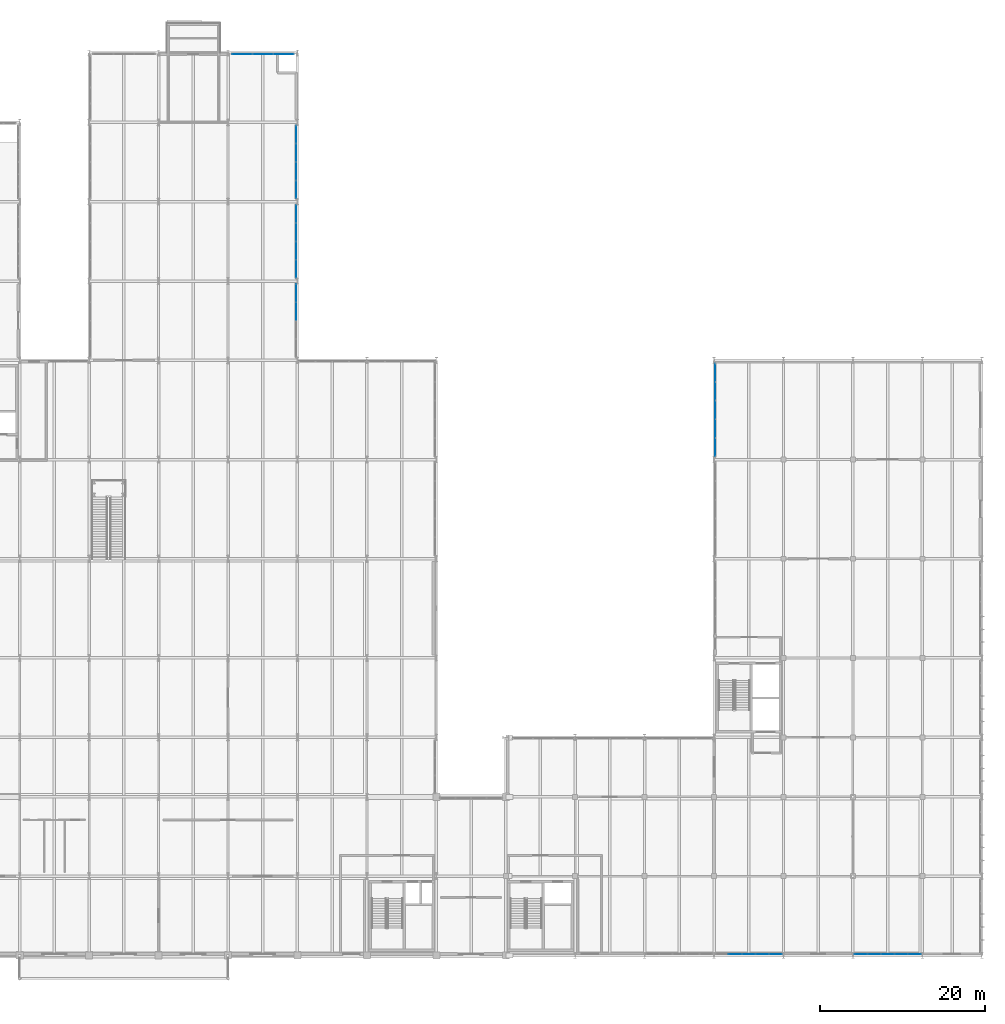
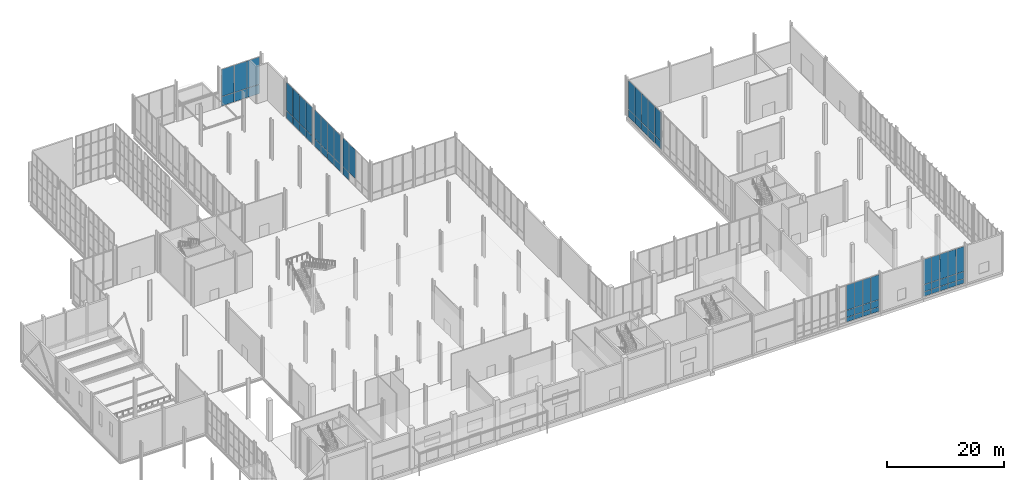
# One storey, part 106 of 131: 62 plates, 7 elements without a shape of their own.
"""IFC4 building model written with IfcOpenShell, lengths in metres."""

from ifc_helpers import new_model, si_unit, direction, frame, origin, origin_2d, place, context, subcontext, project, spatial, rectangle, extrude, material, layer, layer_set, type_object, element, aggregate, save


model = new_model("IFC4")

# Units and contexts
model_context = context("Model", 3, precision=1e-05, world=origin(), true_north=direction((0.0, 1.0)))
body_context = subcontext(model_context, "Body", "Model", "MODEL_VIEW")
ifc_project = project(units=[si_unit("LENGTHUNIT", "METRE"), si_unit("AREAUNIT", "SQUARE_METRE"), si_unit("VOLUMEUNIT", "CUBIC_METRE"), si_unit("PLANEANGLEUNIT", "RADIAN"), si_unit("MASSUNIT", "GRAM", prefix="KILO")], contexts=[model_context])

# Site, building, storey
site_placement = place(None, origin())
site = spatial("IfcSite", under=ifc_project, at=site_placement, CompositionType="ELEMENT")
building_placement = place(site_placement, origin())
building = spatial("IfcBuilding", under=site, at=building_placement, Name="Veltarok Museum of Natural Sciences", CompositionType="ELEMENT")
storey_placement = place(building_placement, origin())
storey = spatial("IfcBuildingStorey", under=building, at=storey_placement, Name="L00", CompositionType="ELEMENT", Elevation=0.0)

# Curtain wall, plates
ifc_material = material(Name="Low-iron triple insulated glass", Category="glass")
curtain_wall_type_1 = type_object("IfcCurtainWallType", Name="Curtain Wall System CW-V2NP-L00-9-756x775 (North Pavilion L00 9-10 756x775cm)", PredefinedType="NOTDEFINED", material=ifc_material)
curtain_wall_1_placement = place(storey_placement, origin())
curtain_wall_1 = element("IfcCurtainWall", 1, at=curtain_wall_1_placement, inside=storey, type_object=curtain_wall_type_1, Name="Curtain Wall CW-V2NP-L00-9-756x775 CW-0068", PredefinedType="NOTDEFINED")
ifc_layer = layer(ifc_material, 0.028076171875)
ifc_layer_set = layer_set([ifc_layer], Name="Low-iron triple insulated glass")
plate_type = type_object("IfcPlateType", Name="Triple Low-Iron Glazed Vision Panel 28", PredefinedType="CURTAIN_PANEL", material=ifc_layer_set)
plate_1_placement = place(storey_placement, frame((80.304931640625, 109.050048828125, 0.06005859375), z_axis=(0.0, 0.0, 1.0), x_axis=(-1.0, 0.0, 0.0)))
plate_1 = element("IfcPlate", 2, at=plate_1_placement, type_object=plate_type, Name="CW-V2NP-L00-9-756x775 panel 1.1", PredefinedType="CURTAIN_PANEL", context=body_context, shape_type="SweptSolid", body=[
    extrude(rectangle(XDim=2.429931640625, YDim=0.028076171875, at=origin_2d()), origin(), (0.0, 0.0, 1.0), 1.909912109375),
])
plate_2_placement = place(storey_placement, frame((80.304931640625, 109.050048828125, 2.0302734375), z_axis=(0.0, 0.0, 1.0), x_axis=(-1.0, 0.0, 0.0)))
plate_2 = element("IfcPlate", 3, at=plate_2_placement, type_object=plate_type, Name="CW-V2NP-L00-9-756x775 panel 1.2", PredefinedType="CURTAIN_PANEL", context=body_context, shape_type="SweptSolid", body=[
    extrude(rectangle(XDim=2.429931640625, YDim=0.028076171875, at=origin_2d()), origin(), (0.0, 0.0, 1.0), 5.659912109375),
])
plate_3_placement = place(storey_placement, frame((77.800048828125, 109.050048828125, 0.06005859375), z_axis=(0.0, 0.0, 1.0), x_axis=(-1.0, 0.0, 0.0)))
plate_3 = element("IfcPlate", 4, at=plate_3_placement, type_object=plate_type, Name="CW-V2NP-L00-9-756x775 panel 2.1", PredefinedType="CURTAIN_PANEL", context=body_context, shape_type="SweptSolid", body=[
    extrude(rectangle(XDim=2.4599609375, YDim=0.028076171875, at=origin_2d()), origin(), (0.0, 0.0, 1.0), 1.909912109375),
])
plate_4_placement = place(storey_placement, frame((77.800048828125, 109.050048828125, 2.0302734375), z_axis=(0.0, 0.0, 1.0), x_axis=(-1.0, 0.0, 0.0)))
plate_4 = element("IfcPlate", 5, at=plate_4_placement, type_object=plate_type, Name="CW-V2NP-L00-9-756x775 panel 2.2", PredefinedType="CURTAIN_PANEL", context=body_context, shape_type="SweptSolid", body=[
    extrude(rectangle(XDim=2.4599609375, YDim=0.028076171875, at=origin_2d()), origin(), (0.0, 0.0, 1.0), 5.659912109375),
])
plate_5_placement = place(storey_placement, frame((75.294921875, 109.050048828125, 0.06005859375), z_axis=(0.0, 0.0, 1.0), x_axis=(-1.0, 0.0, 0.0)))
plate_5 = element("IfcPlate", 6, at=plate_5_placement, type_object=plate_type, Name="CW-V2NP-L00-9-756x775 panel 3.1", PredefinedType="CURTAIN_PANEL", context=body_context, shape_type="SweptSolid", body=[
    extrude(rectangle(XDim=2.429931640625, YDim=0.028076171875, at=origin_2d()), origin(), (0.0, 0.0, 1.0), 1.909912109375),
])
plate_6_placement = place(storey_placement, frame((75.294921875, 109.050048828125, 2.0302734375), z_axis=(0.0, 0.0, 1.0), x_axis=(-1.0, 0.0, 0.0)))
plate_6 = element("IfcPlate", 7, at=plate_6_placement, type_object=plate_type, Name="CW-V2NP-L00-9-756x775 panel 3.2", PredefinedType="CURTAIN_PANEL", context=body_context, shape_type="SweptSolid", body=[
    extrude(rectangle(XDim=2.429931640625, YDim=0.028076171875, at=origin_2d()), origin(), (0.0, 0.0, 1.0), 5.659912109375),
])
aggregate(curtain_wall_1, [plate_1, plate_2, plate_3, plate_4, plate_5, plate_6])

curtain_wall_type_2 = type_object("IfcCurtainWallType", Name="Curtain Wall System CW-V5S-L00-16-810x778 (V5 South Lab Curtain Wall L00 16-17 810x778cm)", PredefinedType="NOTDEFINED", material=ifc_material)
curtain_wall_2_placement = place(storey_placement, origin())
curtain_wall_2 = element("IfcCurtainWall", 8, at=curtain_wall_2_placement, inside=storey, type_object=curtain_wall_type_2, Name="Curtain Wall CW-V5S-L00-16-810x778 CW-0087", PredefinedType="NOTDEFINED")
plate_7_placement = place(storey_placement, frame((134.97998046875, 0.159912109375, 0.06005859375), z_axis=(0.0, 0.0, 1.0), x_axis=(1.0, 0.0, 0.0)))
plate_7 = element("IfcPlate", 9, at=plate_7_placement, type_object=plate_type, Name="CW-V5S-L00-16-810x778 panel 2.1", PredefinedType="CURTAIN_PANEL", context=body_context, shape_type="SweptSolid", body=[
    extrude(rectangle(XDim=1.56005859375, YDim=0.028076171875, at=origin_2d()), origin(), (0.0, 0.0, 1.0), 0.909912109375),
])
plate_8_placement = place(storey_placement, frame((134.97998046875, 0.159912109375, 1.030029296875), z_axis=(0.0, 0.0, 1.0), x_axis=(1.0, 0.0, 0.0)))
plate_8 = element("IfcPlate", 10, at=plate_8_placement, type_object=plate_type, Name="CW-V5S-L00-16-810x778 panel 2.2", PredefinedType="CURTAIN_PANEL", context=body_context, shape_type="SweptSolid", body=[
    extrude(rectangle(XDim=1.56005859375, YDim=0.028076171875, at=origin_2d()), origin(), (0.0, 0.0, 1.0), 1.43994140625),
])
plate_9_placement = place(storey_placement, frame((134.97998046875, 0.159912109375, 2.530029296875), z_axis=(0.0, 0.0, 1.0), x_axis=(1.0, 0.0, 0.0)))
plate_9 = element("IfcPlate", 11, at=plate_9_placement, type_object=plate_type, Name="CW-V5S-L00-16-810x778 panel 2.3", PredefinedType="CURTAIN_PANEL", context=body_context, shape_type="SweptSolid", body=[
    extrude(rectangle(XDim=1.56005859375, YDim=0.028076171875, at=origin_2d()), origin(), (0.0, 0.0, 1.0), 5.18994140625),
])
plate_10_placement = place(storey_placement, frame((136.60009765625, 0.159912109375, 0.06005859375), z_axis=(0.0, 0.0, 1.0), x_axis=(1.0, 0.0, 0.0)))
plate_10 = element("IfcPlate", 12, at=plate_10_placement, type_object=plate_type, Name="CW-V5S-L00-16-810x778 panel 3.1", PredefinedType="CURTAIN_PANEL", context=body_context, shape_type="SweptSolid", body=[
    extrude(rectangle(XDim=1.56005859375, YDim=0.028076171875, at=origin_2d()), origin(), (0.0, 0.0, 1.0), 0.909912109375),
])
plate_11_placement = place(storey_placement, frame((136.60009765625, 0.159912109375, 1.030029296875), z_axis=(0.0, 0.0, 1.0), x_axis=(1.0, 0.0, 0.0)))
plate_11 = element("IfcPlate", 13, at=plate_11_placement, type_object=plate_type, Name="CW-V5S-L00-16-810x778 panel 3.2", PredefinedType="CURTAIN_PANEL", context=body_context, shape_type="SweptSolid", body=[
    extrude(rectangle(XDim=1.56005859375, YDim=0.028076171875, at=origin_2d()), origin(), (0.0, 0.0, 1.0), 1.43994140625),
])
plate_12_placement = place(storey_placement, frame((136.60009765625, 0.159912109375, 2.530029296875), z_axis=(0.0, 0.0, 1.0), x_axis=(1.0, 0.0, 0.0)))
plate_12 = element("IfcPlate", 14, at=plate_12_placement, type_object=plate_type, Name="CW-V5S-L00-16-810x778 panel 3.3", PredefinedType="CURTAIN_PANEL", context=body_context, shape_type="SweptSolid", body=[
    extrude(rectangle(XDim=1.56005859375, YDim=0.028076171875, at=origin_2d()), origin(), (0.0, 0.0, 1.0), 5.18994140625),
])
plate_13_placement = place(storey_placement, frame((138.219970703125, 0.159912109375, 0.06005859375), z_axis=(0.0, 0.0, 1.0), x_axis=(1.0, 0.0, 0.0)))
plate_13 = element("IfcPlate", 15, at=plate_13_placement, type_object=plate_type, Name="CW-V5S-L00-16-810x778 panel 4.1", PredefinedType="CURTAIN_PANEL", context=body_context, shape_type="SweptSolid", body=[
    extrude(rectangle(XDim=1.56005859375, YDim=0.028076171875, at=origin_2d()), origin(), (0.0, 0.0, 1.0), 0.909912109375),
])
plate_14_placement = place(storey_placement, frame((138.219970703125, 0.159912109375, 1.030029296875), z_axis=(0.0, 0.0, 1.0), x_axis=(1.0, 0.0, 0.0)))
plate_14 = element("IfcPlate", 16, at=plate_14_placement, type_object=plate_type, Name="CW-V5S-L00-16-810x778 panel 4.2", PredefinedType="CURTAIN_PANEL", context=body_context, shape_type="SweptSolid", body=[
    extrude(rectangle(XDim=1.56005859375, YDim=0.028076171875, at=origin_2d()), origin(), (0.0, 0.0, 1.0), 1.43994140625),
])
plate_15_placement = place(storey_placement, frame((138.219970703125, 0.159912109375, 2.530029296875), z_axis=(0.0, 0.0, 1.0), x_axis=(1.0, 0.0, 0.0)))
plate_15 = element("IfcPlate", 17, at=plate_15_placement, type_object=plate_type, Name="CW-V5S-L00-16-810x778 panel 4.3", PredefinedType="CURTAIN_PANEL", context=body_context, shape_type="SweptSolid", body=[
    extrude(rectangle(XDim=1.56005859375, YDim=0.028076171875, at=origin_2d()), origin(), (0.0, 0.0, 1.0), 5.18994140625),
])
plate_16_placement = place(storey_placement, frame((139.824951171875, 0.159912109375, 0.06005859375), z_axis=(0.0, 0.0, 1.0), x_axis=(1.0, 0.0, 0.0)))
plate_16 = element("IfcPlate", 18, at=plate_16_placement, type_object=plate_type, Name="CW-V5S-L00-16-810x778 panel 5.1", PredefinedType="CURTAIN_PANEL", context=body_context, shape_type="SweptSolid", body=[
    extrude(rectangle(XDim=1.530029296875, YDim=0.028076171875, at=origin_2d()), origin(), (0.0, 0.0, 1.0), 0.909912109375),
])
plate_17_placement = place(storey_placement, frame((139.824951171875, 0.159912109375, 1.030029296875), z_axis=(0.0, 0.0, 1.0), x_axis=(1.0, 0.0, 0.0)))
plate_17 = element("IfcPlate", 19, at=plate_17_placement, type_object=plate_type, Name="CW-V5S-L00-16-810x778 panel 5.2", PredefinedType="CURTAIN_PANEL", context=body_context, shape_type="SweptSolid", body=[
    extrude(rectangle(XDim=1.530029296875, YDim=0.028076171875, at=origin_2d()), origin(), (0.0, 0.0, 1.0), 1.43994140625),
])
plate_18_placement = place(storey_placement, frame((139.824951171875, 0.159912109375, 2.530029296875), z_axis=(0.0, 0.0, 1.0), x_axis=(1.0, 0.0, 0.0)))
plate_18 = element("IfcPlate", 20, at=plate_18_placement, type_object=plate_type, Name="CW-V5S-L00-16-810x778 panel 5.3", PredefinedType="CURTAIN_PANEL", context=body_context, shape_type="SweptSolid", body=[
    extrude(rectangle(XDim=1.530029296875, YDim=0.028076171875, at=origin_2d()), origin(), (0.0, 0.0, 1.0), 5.18994140625),
])
aggregate(curtain_wall_2, [plate_7, plate_8, plate_9, plate_10, plate_11, plate_12, plate_13, plate_14, plate_15, plate_16, plate_17, plate_18])

curtain_wall_type_3 = type_object("IfcCurtainWallType", Name="Curtain Wall System CW-V5S-L00-18-810x778 (V5 South Lab Curtain Wall L00 18-19 810x778cm)", PredefinedType="NOTDEFINED", material=ifc_material)
curtain_wall_3_placement = place(storey_placement, origin())
curtain_wall_3 = element("IfcCurtainWall", 21, at=curtain_wall_3_placement, inside=storey, type_object=curtain_wall_type_3, Name="Curtain Wall CW-V5S-L00-18-810x778 CW-0088", PredefinedType="NOTDEFINED")
plate_19_placement = place(storey_placement, frame((150.175048828125, 0.159912109375, 0.06005859375), z_axis=(0.0, 0.0, 1.0), x_axis=(1.0, 0.0, 0.0)))
plate_19 = element("IfcPlate", 22, at=plate_19_placement, type_object=plate_type, Name="CW-V5S-L00-18-810x778 panel 1.1", PredefinedType="CURTAIN_PANEL", context=body_context, shape_type="SweptSolid", body=[
    extrude(rectangle(XDim=1.530029296875, YDim=0.028076171875, at=origin_2d()), origin(), (0.0, 0.0, 1.0), 0.909912109375),
])
plate_20_placement = place(storey_placement, frame((150.175048828125, 0.159912109375, 1.030029296875), z_axis=(0.0, 0.0, 1.0), x_axis=(1.0, 0.0, 0.0)))
plate_20 = element("IfcPlate", 23, at=plate_20_placement, type_object=plate_type, Name="CW-V5S-L00-18-810x778 panel 1.2", PredefinedType="CURTAIN_PANEL", context=body_context, shape_type="SweptSolid", body=[
    extrude(rectangle(XDim=1.530029296875, YDim=0.028076171875, at=origin_2d()), origin(), (0.0, 0.0, 1.0), 1.43994140625),
])
plate_21_placement = place(storey_placement, frame((150.175048828125, 0.159912109375, 2.530029296875), z_axis=(0.0, 0.0, 1.0), x_axis=(1.0, 0.0, 0.0)))
plate_21 = element("IfcPlate", 24, at=plate_21_placement, type_object=plate_type, Name="CW-V5S-L00-18-810x778 panel 1.3", PredefinedType="CURTAIN_PANEL", context=body_context, shape_type="SweptSolid", body=[
    extrude(rectangle(XDim=1.530029296875, YDim=0.028076171875, at=origin_2d()), origin(), (0.0, 0.0, 1.0), 5.18994140625),
])
plate_22_placement = place(storey_placement, frame((151.780029296875, 0.159912109375, 0.06005859375), z_axis=(0.0, 0.0, 1.0), x_axis=(1.0, 0.0, 0.0)))
plate_22 = element("IfcPlate", 25, at=plate_22_placement, type_object=plate_type, Name="CW-V5S-L00-18-810x778 panel 2.1", PredefinedType="CURTAIN_PANEL", context=body_context, shape_type="SweptSolid", body=[
    extrude(rectangle(XDim=1.56005859375, YDim=0.028076171875, at=origin_2d()), origin(), (0.0, 0.0, 1.0), 0.909912109375),
])
plate_23_placement = place(storey_placement, frame((151.780029296875, 0.159912109375, 1.030029296875), z_axis=(0.0, 0.0, 1.0), x_axis=(1.0, 0.0, 0.0)))
plate_23 = element("IfcPlate", 26, at=plate_23_placement, type_object=plate_type, Name="CW-V5S-L00-18-810x778 panel 2.2", PredefinedType="CURTAIN_PANEL", context=body_context, shape_type="SweptSolid", body=[
    extrude(rectangle(XDim=1.56005859375, YDim=0.028076171875, at=origin_2d()), origin(), (0.0, 0.0, 1.0), 1.43994140625),
])
plate_24_placement = place(storey_placement, frame((151.780029296875, 0.159912109375, 2.530029296875), z_axis=(0.0, 0.0, 1.0), x_axis=(1.0, 0.0, 0.0)))
plate_24 = element("IfcPlate", 27, at=plate_24_placement, type_object=plate_type, Name="CW-V5S-L00-18-810x778 panel 2.3", PredefinedType="CURTAIN_PANEL", context=body_context, shape_type="SweptSolid", body=[
    extrude(rectangle(XDim=1.56005859375, YDim=0.028076171875, at=origin_2d()), origin(), (0.0, 0.0, 1.0), 5.18994140625),
])
plate_25_placement = place(storey_placement, frame((153.39990234375, 0.159912109375, 0.06005859375), z_axis=(0.0, 0.0, 1.0), x_axis=(1.0, 0.0, 0.0)))
plate_25 = element("IfcPlate", 28, at=plate_25_placement, type_object=plate_type, Name="CW-V5S-L00-18-810x778 panel 3.1", PredefinedType="CURTAIN_PANEL", context=body_context, shape_type="SweptSolid", body=[
    extrude(rectangle(XDim=1.56005859375, YDim=0.028076171875, at=origin_2d()), origin(), (0.0, 0.0, 1.0), 0.909912109375),
])
plate_26_placement = place(storey_placement, frame((153.39990234375, 0.159912109375, 1.030029296875), z_axis=(0.0, 0.0, 1.0), x_axis=(1.0, 0.0, 0.0)))
plate_26 = element("IfcPlate", 29, at=plate_26_placement, type_object=plate_type, Name="CW-V5S-L00-18-810x778 panel 3.2", PredefinedType="CURTAIN_PANEL", context=body_context, shape_type="SweptSolid", body=[
    extrude(rectangle(XDim=1.56005859375, YDim=0.028076171875, at=origin_2d()), origin(), (0.0, 0.0, 1.0), 1.43994140625),
])
plate_27_placement = place(storey_placement, frame((153.39990234375, 0.159912109375, 2.530029296875), z_axis=(0.0, 0.0, 1.0), x_axis=(1.0, 0.0, 0.0)))
plate_27 = element("IfcPlate", 30, at=plate_27_placement, type_object=plate_type, Name="CW-V5S-L00-18-810x778 panel 3.3", PredefinedType="CURTAIN_PANEL", context=body_context, shape_type="SweptSolid", body=[
    extrude(rectangle(XDim=1.56005859375, YDim=0.028076171875, at=origin_2d()), origin(), (0.0, 0.0, 1.0), 5.18994140625),
])
plate_28_placement = place(storey_placement, frame((155.02001953125, 0.159912109375, 0.06005859375), z_axis=(0.0, 0.0, 1.0), x_axis=(1.0, 0.0, 0.0)))
plate_28 = element("IfcPlate", 31, at=plate_28_placement, type_object=plate_type, Name="CW-V5S-L00-18-810x778 panel 4.1", PredefinedType="CURTAIN_PANEL", context=body_context, shape_type="SweptSolid", body=[
    extrude(rectangle(XDim=1.56005859375, YDim=0.028076171875, at=origin_2d()), origin(), (0.0, 0.0, 1.0), 0.909912109375),
])
plate_29_placement = place(storey_placement, frame((155.02001953125, 0.159912109375, 1.030029296875), z_axis=(0.0, 0.0, 1.0), x_axis=(1.0, 0.0, 0.0)))
plate_29 = element("IfcPlate", 32, at=plate_29_placement, type_object=plate_type, Name="CW-V5S-L00-18-810x778 panel 4.2", PredefinedType="CURTAIN_PANEL", context=body_context, shape_type="SweptSolid", body=[
    extrude(rectangle(XDim=1.56005859375, YDim=0.028076171875, at=origin_2d()), origin(), (0.0, 0.0, 1.0), 1.43994140625),
])
plate_30_placement = place(storey_placement, frame((155.02001953125, 0.159912109375, 2.530029296875), z_axis=(0.0, 0.0, 1.0), x_axis=(1.0, 0.0, 0.0)))
plate_30 = element("IfcPlate", 33, at=plate_30_placement, type_object=plate_type, Name="CW-V5S-L00-18-810x778 panel 4.3", PredefinedType="CURTAIN_PANEL", context=body_context, shape_type="SweptSolid", body=[
    extrude(rectangle(XDim=1.56005859375, YDim=0.028076171875, at=origin_2d()), origin(), (0.0, 0.0, 1.0), 5.18994140625),
])
plate_31_placement = place(storey_placement, frame((156.625, 0.159912109375, 0.06005859375), z_axis=(0.0, 0.0, 1.0), x_axis=(1.0, 0.0, 0.0)))
plate_31 = element("IfcPlate", 34, at=plate_31_placement, type_object=plate_type, Name="CW-V5S-L00-18-810x778 panel 5.1", PredefinedType="CURTAIN_PANEL", context=body_context, shape_type="SweptSolid", body=[
    extrude(rectangle(XDim=1.530029296875, YDim=0.028076171875, at=origin_2d()), origin(), (0.0, 0.0, 1.0), 0.909912109375),
])
plate_32_placement = place(storey_placement, frame((156.625, 0.159912109375, 1.030029296875), z_axis=(0.0, 0.0, 1.0), x_axis=(1.0, 0.0, 0.0)))
plate_32 = element("IfcPlate", 35, at=plate_32_placement, type_object=plate_type, Name="CW-V5S-L00-18-810x778 panel 5.2", PredefinedType="CURTAIN_PANEL", context=body_context, shape_type="SweptSolid", body=[
    extrude(rectangle(XDim=1.530029296875, YDim=0.028076171875, at=origin_2d()), origin(), (0.0, 0.0, 1.0), 1.43994140625),
])
plate_33_placement = place(storey_placement, frame((156.625, 0.159912109375, 2.530029296875), z_axis=(0.0, 0.0, 1.0), x_axis=(1.0, 0.0, 0.0)))
plate_33 = element("IfcPlate", 36, at=plate_33_placement, type_object=plate_type, Name="CW-V5S-L00-18-810x778 panel 5.3", PredefinedType="CURTAIN_PANEL", context=body_context, shape_type="SweptSolid", body=[
    extrude(rectangle(XDim=1.530029296875, YDim=0.028076171875, at=origin_2d()), origin(), (0.0, 0.0, 1.0), 5.18994140625),
])
aggregate(curtain_wall_3, [plate_19, plate_20, plate_21, plate_22, plate_23, plate_24, plate_25, plate_26, plate_27, plate_28, plate_29, plate_30, plate_31, plate_32, plate_33])

curtain_wall_type_4 = type_object("IfcCurtainWallType", Name="Curtain Wall System CW-V5CW-L00-1-1130x773 (CW-V5CW L00 1130x773cm)", PredefinedType="NOTDEFINED", material=ifc_material)
curtain_wall_4_placement = place(storey_placement, origin())
curtain_wall_4 = element("IfcCurtainWall", 37, at=curtain_wall_4_placement, inside=storey, type_object=curtain_wall_type_4, Name="Curtain Wall CW-V5CW-L00-1-1130x773 CW-0173", PredefinedType="NOTDEFINED")
plate_34_placement = place(storey_placement, frame((132.550048828125, 61.4951171875, 0.057861328125), z_axis=(0.0, 0.0, 1.0), x_axis=(0.0, 1.0, 0.0)))
plate_34 = element("IfcPlate", 38, at=plate_34_placement, type_object=plate_type, Name="CW-V5CW-L00-1-1130x773 panel 1.1", PredefinedType="CURTAIN_PANEL", context=body_context, shape_type="SweptSolid", body=[
    extrude(rectangle(XDim=2.169921875, YDim=0.028076171875, at=origin_2d()), origin(), (0.0, 0.0, 1.0), 1.56005859375),
])
plate_35_placement = place(storey_placement, frame((132.550048828125, 61.4951171875, 1.67822265625), z_axis=(0.0, 0.0, 1.0), x_axis=(0.0, 1.0, 0.0)))
plate_35 = element("IfcPlate", 39, at=plate_35_placement, type_object=plate_type, Name="CW-V5CW-L00-1-1130x773 panel 1.2", PredefinedType="CURTAIN_PANEL", context=body_context, shape_type="SweptSolid", body=[
    extrude(rectangle(XDim=2.169921875, YDim=0.028076171875, at=origin_2d()), origin(), (0.0, 0.0, 1.0), 5.991943359375),
])
plate_36_placement = place(storey_placement, frame((132.550048828125, 63.739990234375, 0.057861328125), z_axis=(0.0, 0.0, 1.0), x_axis=(0.0, 1.0, 0.0)))
plate_36 = element("IfcPlate", 40, at=plate_36_placement, type_object=plate_type, Name="CW-V5CW-L00-1-1130x773 panel 2.1", PredefinedType="CURTAIN_PANEL", context=body_context, shape_type="SweptSolid", body=[
    extrude(rectangle(XDim=2.199951171875, YDim=0.028076171875, at=origin_2d()), origin(), (0.0, 0.0, 1.0), 1.56005859375),
])
plate_37_placement = place(storey_placement, frame((132.550048828125, 63.739990234375, 1.67822265625), z_axis=(0.0, 0.0, 1.0), x_axis=(0.0, 1.0, 0.0)))
plate_37 = element("IfcPlate", 41, at=plate_37_placement, type_object=plate_type, Name="CW-V5CW-L00-1-1130x773 panel 2.2", PredefinedType="CURTAIN_PANEL", context=body_context, shape_type="SweptSolid", body=[
    extrude(rectangle(XDim=2.199951171875, YDim=0.028076171875, at=origin_2d()), origin(), (0.0, 0.0, 1.0), 5.991943359375),
])
plate_38_placement = place(storey_placement, frame((132.550048828125, 66.0, 0.057861328125), z_axis=(0.0, 0.0, 1.0), x_axis=(0.0, 1.0, 0.0)))
plate_38 = element("IfcPlate", 42, at=plate_38_placement, type_object=plate_type, Name="CW-V5CW-L00-1-1130x773 panel 3.1", PredefinedType="CURTAIN_PANEL", context=body_context, shape_type="SweptSolid", body=[
    extrude(rectangle(XDim=2.199951171875, YDim=0.028076171875, at=origin_2d()), origin(), (0.0, 0.0, 1.0), 1.56005859375),
])
plate_39_placement = place(storey_placement, frame((132.550048828125, 66.0, 1.67822265625), z_axis=(0.0, 0.0, 1.0), x_axis=(0.0, 1.0, 0.0)))
plate_39 = element("IfcPlate", 43, at=plate_39_placement, type_object=plate_type, Name="CW-V5CW-L00-1-1130x773 panel 3.2", PredefinedType="CURTAIN_PANEL", context=body_context, shape_type="SweptSolid", body=[
    extrude(rectangle(XDim=2.199951171875, YDim=0.028076171875, at=origin_2d()), origin(), (0.0, 0.0, 1.0), 5.991943359375),
])
plate_40_placement = place(storey_placement, frame((132.550048828125, 68.260009765625, 0.057861328125), z_axis=(0.0, 0.0, 1.0), x_axis=(0.0, 1.0, 0.0)))
plate_40 = element("IfcPlate", 44, at=plate_40_placement, type_object=plate_type, Name="CW-V5CW-L00-1-1130x773 panel 4.1", PredefinedType="CURTAIN_PANEL", context=body_context, shape_type="SweptSolid", body=[
    extrude(rectangle(XDim=2.199951171875, YDim=0.028076171875, at=origin_2d()), origin(), (0.0, 0.0, 1.0), 1.56005859375),
])
plate_41_placement = place(storey_placement, frame((132.550048828125, 68.260009765625, 1.67822265625), z_axis=(0.0, 0.0, 1.0), x_axis=(0.0, 1.0, 0.0)))
plate_41 = element("IfcPlate", 45, at=plate_41_placement, type_object=plate_type, Name="CW-V5CW-L00-1-1130x773 panel 4.2", PredefinedType="CURTAIN_PANEL", context=body_context, shape_type="SweptSolid", body=[
    extrude(rectangle(XDim=2.199951171875, YDim=0.028076171875, at=origin_2d()), origin(), (0.0, 0.0, 1.0), 5.991943359375),
])
plate_42_placement = place(storey_placement, frame((132.550048828125, 70.5048828125, 0.057861328125), z_axis=(0.0, 0.0, 1.0), x_axis=(0.0, 1.0, 0.0)))
plate_42 = element("IfcPlate", 46, at=plate_42_placement, type_object=plate_type, Name="CW-V5CW-L00-1-1130x773 panel 5.1", PredefinedType="CURTAIN_PANEL", context=body_context, shape_type="SweptSolid", body=[
    extrude(rectangle(XDim=2.169921875, YDim=0.028076171875, at=origin_2d()), origin(), (0.0, 0.0, 1.0), 1.56005859375),
])
plate_43_placement = place(storey_placement, frame((132.550048828125, 70.5048828125, 1.67822265625), z_axis=(0.0, 0.0, 1.0), x_axis=(0.0, 1.0, 0.0)))
plate_43 = element("IfcPlate", 47, at=plate_43_placement, type_object=plate_type, Name="CW-V5CW-L00-1-1130x773 panel 5.2", PredefinedType="CURTAIN_PANEL", context=body_context, shape_type="SweptSolid", body=[
    extrude(rectangle(XDim=2.169921875, YDim=0.028076171875, at=origin_2d()), origin(), (0.0, 0.0, 1.0), 5.991943359375),
])
aggregate(curtain_wall_4, [plate_34, plate_35, plate_36, plate_37, plate_38, plate_39, plate_40, plate_41, plate_42, plate_43])

curtain_wall_type_5 = type_object("IfcCurtainWallType", Name="Curtain Wall System CW-V2NPE-L00-1-890x773 (CW-V2NPE L00 890x773cm)", PredefinedType="NOTDEFINED", material=ifc_material)
curtain_wall_5_placement = place(storey_placement, origin())
curtain_wall_5 = element("IfcCurtainWall", 48, at=curtain_wall_5_placement, inside=storey, type_object=curtain_wall_type_5, Name="Curtain Wall CW-V2NPE-L00-1-890x773 CW-0217", PredefinedType="NOTDEFINED")
plate_44_placement = place(storey_placement, frame((81.85009765625, 77.91259765625, 1.67822265625), z_axis=(0.0, 0.0, 1.0), x_axis=(0.0, 1.0, 0.0)))
plate_44 = element("IfcPlate", 49, at=plate_44_placement, type_object=plate_type, Name="CW-V2NPE-L00-1-890x773 panel 3.2", PredefinedType="CURTAIN_PANEL", context=body_context, shape_type="SweptSolid", body=[
    extrude(rectangle(XDim=2.1650390625, YDim=0.028076171875, at=origin_2d()), origin(), (0.0, 0.0, 1.0), 5.991943359375),
])
plate_45_placement = place(storey_placement, frame((81.85009765625, 80.12255859375, 0.057861328125), z_axis=(0.0, 0.0, 1.0), x_axis=(0.0, 1.0, 0.0)))
plate_45 = element("IfcPlate", 50, at=plate_45_placement, type_object=plate_type, Name="CW-V2NPE-L00-1-890x773 panel 4.1", PredefinedType="CURTAIN_PANEL", context=body_context, shape_type="SweptSolid", body=[
    extrude(rectangle(XDim=2.135009765625, YDim=0.028076171875, at=origin_2d()), origin(), (0.0, 0.0, 1.0), 1.56005859375),
])
plate_46_placement = place(storey_placement, frame((81.85009765625, 80.12255859375, 1.67822265625), z_axis=(0.0, 0.0, 1.0), x_axis=(0.0, 1.0, 0.0)))
plate_46 = element("IfcPlate", 51, at=plate_46_placement, type_object=plate_type, Name="CW-V2NPE-L00-1-890x773 panel 4.2", PredefinedType="CURTAIN_PANEL", context=body_context, shape_type="SweptSolid", body=[
    extrude(rectangle(XDim=2.135009765625, YDim=0.028076171875, at=origin_2d()), origin(), (0.0, 0.0, 1.0), 5.991943359375),
])
aggregate(curtain_wall_5, [plate_44, plate_45, plate_46])

curtain_wall_type_6 = type_object("IfcCurtainWallType", Name="Curtain Wall System CW-V2NPE-L00-2-890x768 (CW-V2NPE L00 890x768cm)", PredefinedType="NOTDEFINED", material=ifc_material)
curtain_wall_6_placement = place(storey_placement, origin())
curtain_wall_6 = element("IfcCurtainWall", 52, at=curtain_wall_6_placement, inside=storey, type_object=curtain_wall_type_6, Name="Curtain Wall CW-V2NPE-L00-2-890x768 CW-0218", PredefinedType="NOTDEFINED")
plate_47_placement = place(storey_placement, frame((81.85009765625, 83.077392578125, 0.057861328125), z_axis=(0.0, 0.0, 1.0), x_axis=(0.0, 1.0, 0.0)))
plate_47 = element("IfcPlate", 53, at=plate_47_placement, type_object=plate_type, Name="CW-V2NPE-L00-2-890x768 panel 1.1", PredefinedType="CURTAIN_PANEL", context=body_context, shape_type="SweptSolid", body=[
    extrude(rectangle(XDim=2.135009765625, YDim=0.028076171875, at=origin_2d()), origin(), (0.0, 0.0, 1.0), 1.56005859375),
])
plate_48_placement = place(storey_placement, frame((81.85009765625, 83.077392578125, 1.677978515625), z_axis=(0.0, 0.0, 1.0), x_axis=(0.0, 1.0, 0.0)))
plate_48 = element("IfcPlate", 54, at=plate_48_placement, type_object=plate_type, Name="CW-V2NPE-L00-2-890x768 panel 1.2", PredefinedType="CURTAIN_PANEL", context=body_context, shape_type="SweptSolid", body=[
    extrude(rectangle(XDim=2.135009765625, YDim=0.028076171875, at=origin_2d()), origin(), (0.0, 0.0, 1.0), 5.94189453125),
])
plate_49_placement = place(storey_placement, frame((81.85009765625, 85.28759765625, 0.057861328125), z_axis=(0.0, 0.0, 1.0), x_axis=(0.0, 1.0, 0.0)))
plate_49 = element("IfcPlate", 55, at=plate_49_placement, type_object=plate_type, Name="CW-V2NPE-L00-2-890x768 panel 2.1", PredefinedType="CURTAIN_PANEL", context=body_context, shape_type="SweptSolid", body=[
    extrude(rectangle(XDim=2.1650390625, YDim=0.028076171875, at=origin_2d()), origin(), (0.0, 0.0, 1.0), 1.56005859375),
])
plate_50_placement = place(storey_placement, frame((81.85009765625, 85.28759765625, 1.677978515625), z_axis=(0.0, 0.0, 1.0), x_axis=(0.0, 1.0, 0.0)))
plate_50 = element("IfcPlate", 56, at=plate_50_placement, type_object=plate_type, Name="CW-V2NPE-L00-2-890x768 panel 2.2", PredefinedType="CURTAIN_PANEL", context=body_context, shape_type="SweptSolid", body=[
    extrude(rectangle(XDim=2.1650390625, YDim=0.028076171875, at=origin_2d()), origin(), (0.0, 0.0, 1.0), 5.94189453125),
])
plate_51_placement = place(storey_placement, frame((81.85009765625, 87.512451171875, 0.057861328125), z_axis=(0.0, 0.0, 1.0), x_axis=(0.0, 1.0, 0.0)))
plate_51 = element("IfcPlate", 57, at=plate_51_placement, type_object=plate_type, Name="CW-V2NPE-L00-2-890x768 panel 3.1", PredefinedType="CURTAIN_PANEL", context=body_context, shape_type="SweptSolid", body=[
    extrude(rectangle(XDim=2.1650390625, YDim=0.028076171875, at=origin_2d()), origin(), (0.0, 0.0, 1.0), 1.56005859375),
])
plate_52_placement = place(storey_placement, frame((81.85009765625, 87.512451171875, 1.677978515625), z_axis=(0.0, 0.0, 1.0), x_axis=(0.0, 1.0, 0.0)))
plate_52 = element("IfcPlate", 58, at=plate_52_placement, type_object=plate_type, Name="CW-V2NPE-L00-2-890x768 panel 3.2", PredefinedType="CURTAIN_PANEL", context=body_context, shape_type="SweptSolid", body=[
    extrude(rectangle(XDim=2.1650390625, YDim=0.028076171875, at=origin_2d()), origin(), (0.0, 0.0, 1.0), 5.94189453125),
])
plate_53_placement = place(storey_placement, frame((81.85009765625, 89.722412109375, 0.057861328125), z_axis=(0.0, 0.0, 1.0), x_axis=(0.0, 1.0, 0.0)))
plate_53 = element("IfcPlate", 59, at=plate_53_placement, type_object=plate_type, Name="CW-V2NPE-L00-2-890x768 panel 4.1", PredefinedType="CURTAIN_PANEL", context=body_context, shape_type="SweptSolid", body=[
    extrude(rectangle(XDim=2.135009765625, YDim=0.028076171875, at=origin_2d()), origin(), (0.0, 0.0, 1.0), 1.56005859375),
])
plate_54_placement = place(storey_placement, frame((81.85009765625, 89.722412109375, 1.677978515625), z_axis=(0.0, 0.0, 1.0), x_axis=(0.0, 1.0, 0.0)))
plate_54 = element("IfcPlate", 60, at=plate_54_placement, type_object=plate_type, Name="CW-V2NPE-L00-2-890x768 panel 4.2", PredefinedType="CURTAIN_PANEL", context=body_context, shape_type="SweptSolid", body=[
    extrude(rectangle(XDim=2.135009765625, YDim=0.028076171875, at=origin_2d()), origin(), (0.0, 0.0, 1.0), 5.94189453125),
])
aggregate(curtain_wall_6, [plate_47, plate_48, plate_49, plate_50, plate_51, plate_52, plate_53, plate_54])

curtain_wall_type_7 = type_object("IfcCurtainWallType", Name="Curtain Wall System CW-V2NPE-L00-3-890x763 (CW-V2NPE L00 890x763cm)", PredefinedType="NOTDEFINED", material=ifc_material)
curtain_wall_7_placement = place(storey_placement, origin())
curtain_wall_7 = element("IfcCurtainWall", 61, at=curtain_wall_7_placement, inside=storey, type_object=curtain_wall_type_7, Name="Curtain Wall CW-V2NPE-L00-3-890x763 CW-0219", PredefinedType="NOTDEFINED")
plate_55_placement = place(storey_placement, frame((81.85009765625, 92.677490234375, 0.057861328125), z_axis=(0.0, 0.0, 1.0), x_axis=(0.0, 1.0, 0.0)))
plate_55 = element("IfcPlate", 62, at=plate_55_placement, type_object=plate_type, Name="CW-V2NPE-L00-3-890x763 panel 1.1", PredefinedType="CURTAIN_PANEL", context=body_context, shape_type="SweptSolid", body=[
    extrude(rectangle(XDim=2.135009765625, YDim=0.028076171875, at=origin_2d()), origin(), (0.0, 0.0, 1.0), 1.56005859375),
])
plate_56_placement = place(storey_placement, frame((81.85009765625, 92.677490234375, 1.677978515625), z_axis=(0.0, 0.0, 1.0), x_axis=(0.0, 1.0, 0.0)))
plate_56 = element("IfcPlate", 63, at=plate_56_placement, type_object=plate_type, Name="CW-V2NPE-L00-3-890x763 panel 1.2", PredefinedType="CURTAIN_PANEL", context=body_context, shape_type="SweptSolid", body=[
    extrude(rectangle(XDim=2.135009765625, YDim=0.028076171875, at=origin_2d()), origin(), (0.0, 0.0, 1.0), 5.89208984375),
])
plate_57_placement = place(storey_placement, frame((81.85009765625, 94.887451171875, 0.057861328125), z_axis=(0.0, 0.0, 1.0), x_axis=(0.0, 1.0, 0.0)))
plate_57 = element("IfcPlate", 64, at=plate_57_placement, type_object=plate_type, Name="CW-V2NPE-L00-3-890x763 panel 2.1", PredefinedType="CURTAIN_PANEL", context=body_context, shape_type="SweptSolid", body=[
    extrude(rectangle(XDim=2.1650390625, YDim=0.028076171875, at=origin_2d()), origin(), (0.0, 0.0, 1.0), 1.56005859375),
])
plate_58_placement = place(storey_placement, frame((81.85009765625, 94.887451171875, 1.677978515625), z_axis=(0.0, 0.0, 1.0), x_axis=(0.0, 1.0, 0.0)))
plate_58 = element("IfcPlate", 65, at=plate_58_placement, type_object=plate_type, Name="CW-V2NPE-L00-3-890x763 panel 2.2", PredefinedType="CURTAIN_PANEL", context=body_context, shape_type="SweptSolid", body=[
    extrude(rectangle(XDim=2.1650390625, YDim=0.028076171875, at=origin_2d()), origin(), (0.0, 0.0, 1.0), 5.89208984375),
])
plate_59_placement = place(storey_placement, frame((81.85009765625, 97.112548828125, 0.057861328125), z_axis=(0.0, 0.0, 1.0), x_axis=(0.0, 1.0, 0.0)))
plate_59 = element("IfcPlate", 66, at=plate_59_placement, type_object=plate_type, Name="CW-V2NPE-L00-3-890x763 panel 3.1", PredefinedType="CURTAIN_PANEL", context=body_context, shape_type="SweptSolid", body=[
    extrude(rectangle(XDim=2.1650390625, YDim=0.028076171875, at=origin_2d()), origin(), (0.0, 0.0, 1.0), 1.56005859375),
])
plate_60_placement = place(storey_placement, frame((81.85009765625, 97.112548828125, 1.677978515625), z_axis=(0.0, 0.0, 1.0), x_axis=(0.0, 1.0, 0.0)))
plate_60 = element("IfcPlate", 67, at=plate_60_placement, type_object=plate_type, Name="CW-V2NPE-L00-3-890x763 panel 3.2", PredefinedType="CURTAIN_PANEL", context=body_context, shape_type="SweptSolid", body=[
    extrude(rectangle(XDim=2.1650390625, YDim=0.028076171875, at=origin_2d()), origin(), (0.0, 0.0, 1.0), 5.89208984375),
])
plate_61_placement = place(storey_placement, frame((81.85009765625, 99.322509765625, 0.057861328125), z_axis=(0.0, 0.0, 1.0), x_axis=(0.0, 1.0, 0.0)))
plate_61 = element("IfcPlate", 68, at=plate_61_placement, type_object=plate_type, Name="CW-V2NPE-L00-3-890x763 panel 4.1", PredefinedType="CURTAIN_PANEL", context=body_context, shape_type="SweptSolid", body=[
    extrude(rectangle(XDim=2.135009765625, YDim=0.028076171875, at=origin_2d()), origin(), (0.0, 0.0, 1.0), 1.56005859375),
])
plate_62_placement = place(storey_placement, frame((81.85009765625, 99.322509765625, 1.677978515625), z_axis=(0.0, 0.0, 1.0), x_axis=(0.0, 1.0, 0.0)))
plate_62 = element("IfcPlate", 69, at=plate_62_placement, type_object=plate_type, Name="CW-V2NPE-L00-3-890x763 panel 4.2", PredefinedType="CURTAIN_PANEL", context=body_context, shape_type="SweptSolid", body=[
    extrude(rectangle(XDim=2.135009765625, YDim=0.028076171875, at=origin_2d()), origin(), (0.0, 0.0, 1.0), 5.89208984375),
])
aggregate(curtain_wall_7, [plate_55, plate_56, plate_57, plate_58, plate_59, plate_60, plate_61, plate_62])

save(model, "model.ifc")
